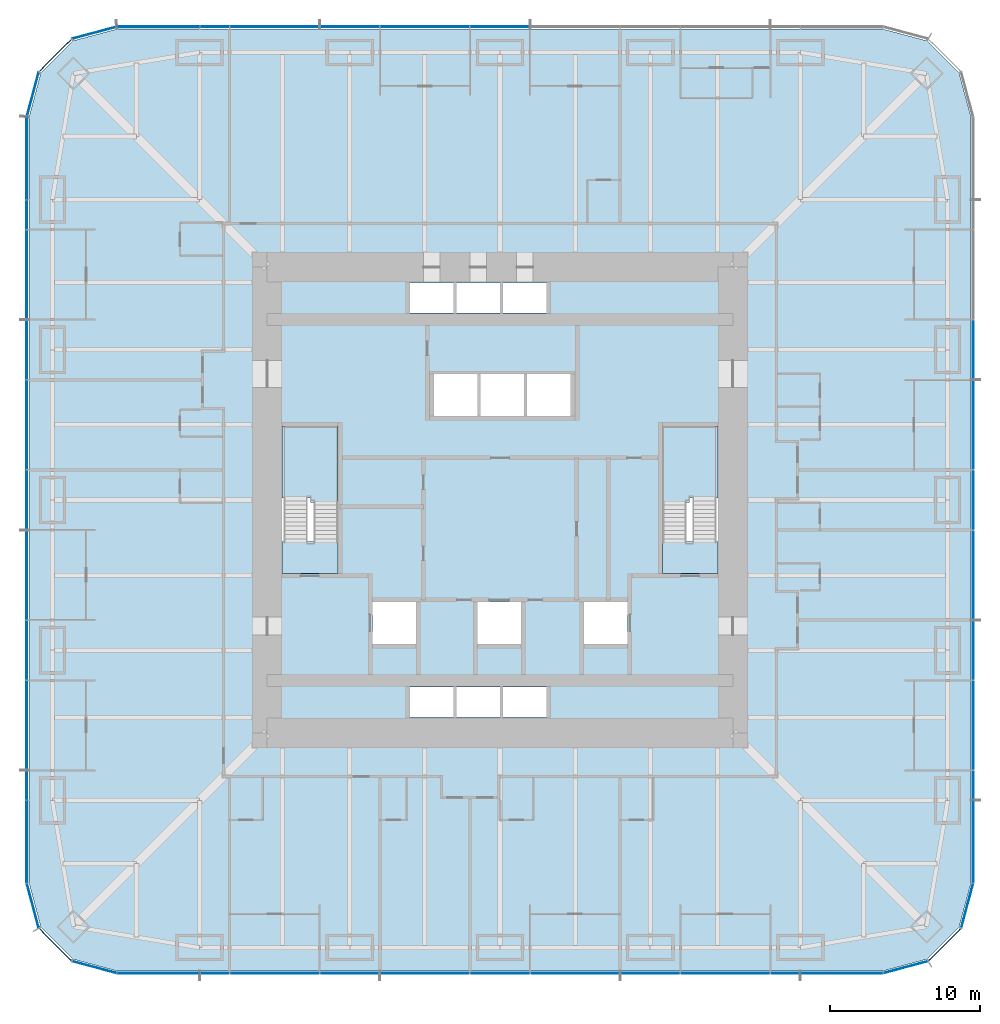
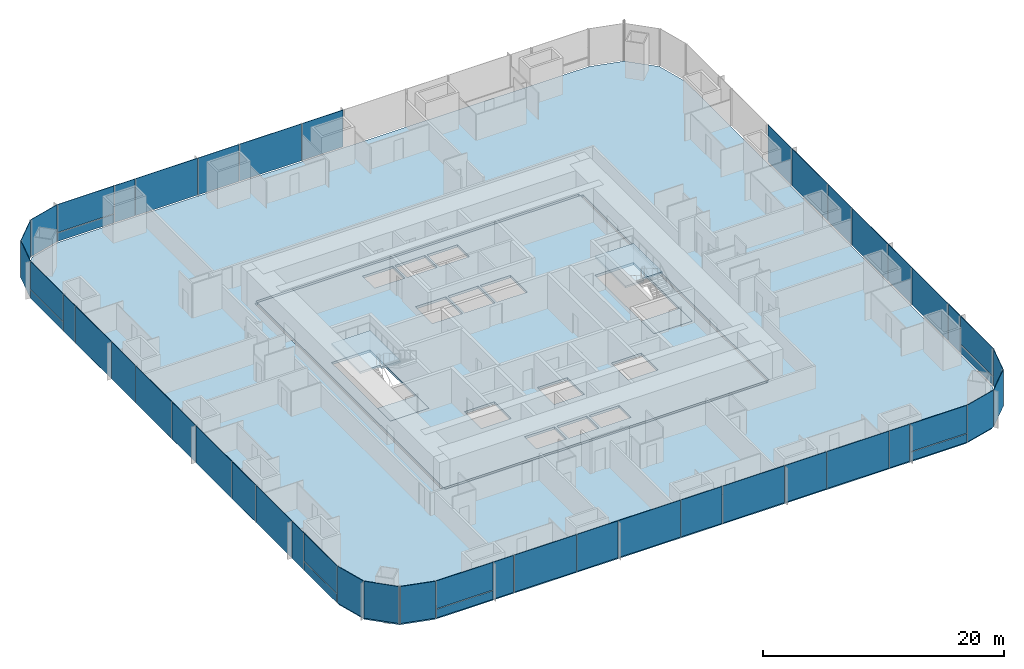
# One storey, part 10 of 17: 51 plates, 6 slabs, 9 elements without a shape of their own.
"""IFC4 building model written with IfcOpenShell, lengths in metres."""

from ifc_helpers import new_model, si_unit, direction, frame, origin, origin_2d, place, context, subcontext, project, spatial, polyline, rectangle, outline, extrude, material, layer, layer_set, type_object, element, aggregate, save


model = new_model("IFC4")

# Units and contexts
model_context = context("Model", 3, precision=1e-05, world=origin(), true_north=direction((0.0, 1.0)))
body_context = subcontext(model_context, "Body", "Model", "MODEL_VIEW")
ifc_project = project(units=[si_unit("LENGTHUNIT", "METRE"), si_unit("AREAUNIT", "SQUARE_METRE"), si_unit("VOLUMEUNIT", "CUBIC_METRE"), si_unit("PLANEANGLEUNIT", "RADIAN"), si_unit("MASSUNIT", "GRAM", prefix="KILO")], contexts=[model_context])

# Site, building, storey
site_placement = place(None, origin())
site = spatial("IfcSite", under=ifc_project, at=site_placement, CompositionType="ELEMENT")
building_placement = place(site_placement, origin())
building = spatial("IfcBuilding", under=site, at=building_placement, Name="Khuree Lantern Residences", CompositionType="ELEMENT")
storey_placement = place(building_placement, frame((0.0, 0.0, 58.5)))
storey = spatial("IfcBuildingStorey", under=building, at=storey_placement, Name="L14", CompositionType="ELEMENT", Elevation=58.5)

# Slab
ifc_material_1 = material(Name="Concrete C35/45", Category="concrete")
ifc_layer_1 = layer(ifc_material_1, 0.25)
ifc_layer_set_1 = layer_set([ifc_layer_1], Name="CFL250 CORE FLOOR SLAB 250")
slab_type_1 = type_object("IfcSlabType", Name="CFL250 CORE FLOOR SLAB 250", PredefinedType="FLOOR", material=ifc_layer_set_1)
slab_1_placement = place(storey_placement, frame((0.0, 0.0, -0.25)))
element("IfcSlab", 1, at=slab_1_placement, inside=storey, type_object=slab_type_1, Name="Core floor L14", PredefinedType="FLOOR", context=body_context, shape_type="SweptSolid", body=[
    extrude(outline(polyline([(-15.5, -15.5), (-15.5, 15.5), (15.5, 15.5), (15.5, -15.5), (-15.5, -15.5)]), holes=[polyline([(14.5, 4.89990234375), (10.800048828125, 4.89990234375), (10.800048828125, -4.89990234375), (14.5, -4.89990234375), (14.5, 4.89990234375)]), polyline([(8.5, -6.800048828125), (5.60009765625, -6.800048828125), (5.60009765625, -9.60009765625), (8.5, -9.60009765625), (8.5, -6.800048828125)]), polyline([(4.699951171875, 8.39990234375), (1.800048828125, 8.39990234375), (1.800048828125, 5.60009765625), (4.699951171875, 5.60009765625), (4.699951171875, 8.39990234375)]), polyline([(0.199951171875, -12.449951171875), (0.199951171875, -14.449951171875), (3.10009765625, -14.449951171875), (3.10009765625, -12.449951171875), (0.199951171875, -12.449951171875)]), polyline([(3.10009765625, 14.449951171875), (0.199951171875, 14.449951171875), (0.199951171875, 12.449951171875), (3.10009765625, 12.449951171875), (3.10009765625, 14.449951171875)]), polyline([(1.60009765625, 8.39990234375), (-1.300048828125, 8.39990234375), (-1.300048828125, 5.60009765625), (1.60009765625, 5.60009765625), (1.60009765625, 8.39990234375)]), polyline([(1.39990234375, -6.800048828125), (-1.5, -6.800048828125), (-1.5, -9.60009765625), (1.39990234375, -9.60009765625), (1.39990234375, -6.800048828125)]), polyline([(0.0, -12.449951171875), (-2.89990234375, -12.449951171875), (-2.89990234375, -14.449951171875), (0.0, -14.449951171875), (0.0, -12.449951171875)]), polyline([(0.0, 14.449951171875), (-2.89990234375, 14.449951171875), (-2.89990234375, 12.449951171875), (0.0, 12.449951171875), (0.0, 14.449951171875)]), polyline([(-1.5, 8.39990234375), (-4.39990234375, 8.39990234375), (-4.39990234375, 5.60009765625), (-1.5, 5.60009765625), (-1.5, 8.39990234375)]), polyline([(-6.0, -12.449951171875), (-6.0, -14.449951171875), (-3.10009765625, -14.449951171875), (-3.10009765625, -12.449951171875), (-6.0, -12.449951171875)]), polyline([(-3.10009765625, 14.449951171875), (-6.0, 14.449951171875), (-6.0, 12.449951171875), (-3.10009765625, 12.449951171875), (-3.10009765625, 14.449951171875)]), polyline([(-5.60009765625, -6.800048828125), (-8.5, -6.800048828125), (-8.5, -9.60009765625), (-5.60009765625, -9.60009765625), (-5.60009765625, -6.800048828125)]), polyline([(-10.800048828125, 4.89990234375), (-14.5, 4.89990234375), (-14.5, -4.89990234375), (-10.800048828125, -4.89990234375), (-10.800048828125, 4.89990234375)])]), origin(), (0.0, 0.0, 1.0), 0.25),
])

# Curtain wall, plates
ifc_material_2 = material(Name="Bronze anodised aluminium", Category="aluminium")
curtain_wall_type_1 = type_object("IfcCurtainWallType", Name="CW-T2 TOWER CORNER CURTAIN WALL", PredefinedType="USERDEFINED", material=ifc_material_2)
curtain_wall_1_placement = place(storey_placement, origin())
curtain_wall_1 = element("IfcCurtainWall", 2, at=curtain_wall_1_placement, inside=storey, type_object=curtain_wall_type_1, Name="L14 SOUTH-EAST CORNER CURTAIN WALL", ObjectType="Faceted corner curtain wall", PredefinedType="USERDEFINED")
ifc_material_3 = material(Name="Bronze tinted triple glazing", Category="glass")
ifc_layer_2 = layer(ifc_material_3, 0.048095703125)
ifc_layer_set_2 = layer_set([ifc_layer_2], Name="FACET PANEL P4")
plate_type_1 = type_object("IfcPlateType", Name="FACET PANEL P4", PredefinedType="CURTAIN_PANEL", material=ifc_layer_set_2)
plate_1_placement = place(storey_placement, frame((26.998046875, -31.0986328125, 0.0), z_axis=(0.0, 0.0, 1.0), x_axis=(0.965925792265, 0.258819172081, 0.0)))
plate_1 = element("IfcPlate", 3, at=plate_1_placement, type_object=plate_type_1, Name="L14 SOUTH-EAST CORNER PANEL 1.1", PredefinedType="CURTAIN_PANEL", context=body_context, shape_type="SweptSolid", body=[
    extrude(rectangle(XDim=3.02978515625, YDim=0.048095703125, at=origin_2d()), origin(), (0.0, 0.0, 1.0), 3.75),
])
plate_2_placement = place(storey_placement, frame((29.59814453125, -29.59814453125, 0.0), z_axis=(0.0, 0.0, 1.0), x_axis=(0.707106781187, 0.707106781187, 0.0)))
plate_2 = element("IfcPlate", 4, at=plate_2_placement, type_object=plate_type_1, Name="L14 SOUTH-EAST CORNER PANEL 2.1", PredefinedType="CURTAIN_PANEL", context=body_context, shape_type="SweptSolid", body=[
    extrude(rectangle(XDim=3.025634765625, YDim=0.048095703125, at=origin_2d()), origin(), (0.0, 0.0, 1.0), 3.75),
])
plate_3_placement = place(storey_placement, frame((31.0986328125, -26.998046875, 0.0), z_axis=(0.0, 0.0, 1.0), x_axis=(0.258819172081, 0.965925792265, 0.0)))
plate_3 = element("IfcPlate", 5, at=plate_3_placement, type_object=plate_type_1, Name="L14 SOUTH-EAST CORNER PANEL 3.1", PredefinedType="CURTAIN_PANEL", context=body_context, shape_type="SweptSolid", body=[
    extrude(rectangle(XDim=3.02978515625, YDim=0.048095703125, at=origin_2d()), origin(), (0.0, 0.0, 1.0), 3.75),
])
aggregate(curtain_wall_1, [plate_1, plate_2, plate_3])

curtain_wall_2_placement = place(storey_placement, origin())
curtain_wall_2 = element("IfcCurtainWall", 6, at=curtain_wall_2_placement, inside=storey, type_object=curtain_wall_type_1, Name="L14 NORTH-WEST CORNER CURTAIN WALL", ObjectType="Faceted corner curtain wall", PredefinedType="USERDEFINED")
plate_4_placement = place(storey_placement, frame((-26.998046875, 31.0986328125, 0.0), z_axis=(0.0, 0.0, 1.0), x_axis=(-0.965925792265, -0.258819172081, 0.0)))
plate_4 = element("IfcPlate", 7, at=plate_4_placement, type_object=plate_type_1, Name="L14 NORTH-WEST CORNER PANEL 29.1", PredefinedType="CURTAIN_PANEL", context=body_context, shape_type="SweptSolid", body=[
    extrude(rectangle(XDim=3.02978515625, YDim=0.048095703125, at=origin_2d()), origin(), (0.0, 0.0, 1.0), 3.75),
])
plate_5_placement = place(storey_placement, frame((-29.59814453125, 29.59814453125, 0.0), z_axis=(0.0, 0.0, 1.0), x_axis=(-0.707106781187, -0.707106781187, 0.0)))
plate_5 = element("IfcPlate", 8, at=plate_5_placement, type_object=plate_type_1, Name="L14 NORTH-WEST CORNER PANEL 30.1", PredefinedType="CURTAIN_PANEL", context=body_context, shape_type="SweptSolid", body=[
    extrude(rectangle(XDim=3.025634765625, YDim=0.048095703125, at=origin_2d()), origin(), (0.0, 0.0, 1.0), 3.75),
])
plate_6_placement = place(storey_placement, frame((-31.0986328125, 26.998046875, 0.0), z_axis=(0.0, 0.0, 1.0), x_axis=(-0.258819172081, -0.965925792265, 0.0)))
plate_6 = element("IfcPlate", 9, at=plate_6_placement, type_object=plate_type_1, Name="L14 NORTH-WEST CORNER PANEL 31.1", PredefinedType="CURTAIN_PANEL", context=body_context, shape_type="SweptSolid", body=[
    extrude(rectangle(XDim=3.02978515625, YDim=0.048095703125, at=origin_2d()), origin(), (0.0, 0.0, 1.0), 3.75),
])
aggregate(curtain_wall_2, [plate_4, plate_5, plate_6])

curtain_wall_3_placement = place(storey_placement, origin())
curtain_wall_3 = element("IfcCurtainWall", 10, at=curtain_wall_3_placement, inside=storey, type_object=curtain_wall_type_1, Name="L14 SOUTH-WEST CORNER CURTAIN WALL", ObjectType="Faceted corner curtain wall", PredefinedType="USERDEFINED")
plate_7_placement = place(storey_placement, frame((-31.0986328125, -26.998046875, 0.0), z_axis=(0.0, 0.0, 1.0), x_axis=(0.258819172081, -0.965925792265, 0.0)))
plate_7 = element("IfcPlate", 11, at=plate_7_placement, type_object=plate_type_1, Name="L14 SOUTH-WEST CORNER PANEL 43.1", PredefinedType="CURTAIN_PANEL", context=body_context, shape_type="SweptSolid", body=[
    extrude(rectangle(XDim=3.02978515625, YDim=0.048095703125, at=origin_2d()), origin(), (0.0, 0.0, 1.0), 3.75),
])
plate_8_placement = place(storey_placement, frame((-29.59814453125, -29.59814453125, 0.0), z_axis=(0.0, 0.0, 1.0), x_axis=(0.707106781187, -0.707106781187, 0.0)))
plate_8 = element("IfcPlate", 12, at=plate_8_placement, type_object=plate_type_1, Name="L14 SOUTH-WEST CORNER PANEL 44.1", PredefinedType="CURTAIN_PANEL", context=body_context, shape_type="SweptSolid", body=[
    extrude(rectangle(XDim=3.025634765625, YDim=0.048095703125, at=origin_2d()), origin(), (0.0, 0.0, 1.0), 3.75),
])
plate_9_placement = place(storey_placement, frame((-26.998046875, -31.0986328125, 0.0), z_axis=(0.0, 0.0, 1.0), x_axis=(0.965925792265, -0.258819172081, 0.0)))
plate_9 = element("IfcPlate", 13, at=plate_9_placement, type_object=plate_type_1, Name="L14 SOUTH-WEST CORNER PANEL 45.1", PredefinedType="CURTAIN_PANEL", context=body_context, shape_type="SweptSolid", body=[
    extrude(rectangle(XDim=3.02978515625, YDim=0.048095703125, at=origin_2d()), origin(), (0.0, 0.0, 1.0), 3.75),
])
aggregate(curtain_wall_3, [plate_7, plate_8, plate_9])

curtain_wall_type_2 = type_object("IfcCurtainWallType", Name="CW-T1 TOWER FACE CURTAIN WALL", PredefinedType="USERDEFINED", material=ifc_material_2)
curtain_wall_4_placement = place(storey_placement, origin())
curtain_wall_4 = element("IfcCurtainWall", 14, at=curtain_wall_4_placement, inside=storey, type_object=curtain_wall_type_2, Name="L14 EAST FACE CURTAIN WALL", ObjectType="Stick-built curtain wall", PredefinedType="USERDEFINED")
ifc_material_4 = material(Name="Bronze tinted triple glazing with a ceramic-fritted spandrel band", Category="glass")
ifc_layer_3 = layer(ifc_material_4, 0.048095703125)
ifc_layer_set_3 = layer_set([ifc_layer_3], Name="FIXED LIGHT PANEL P11")
plate_type_2 = type_object("IfcPlateType", Name="FIXED LIGHT PANEL P11", PredefinedType="CURTAIN_PANEL", material=ifc_layer_set_3)
plate_10_placement = place(storey_placement, frame((31.5, -15.0, 0.0), z_axis=(0.0, 0.0, 1.0), x_axis=(0.0, 1.0, 0.0)))
plate_10 = element("IfcPlate", 15, at=plate_10_placement, type_object=plate_type_2, Name="L14 EAST FACE PANEL 6.1", PredefinedType="CURTAIN_PANEL", context=body_context, shape_type="SweptSolid", body=[
    extrude(rectangle(XDim=5.93505859375, YDim=0.048095703125, at=origin_2d()), origin(), (0.0, 0.0, 1.0), 3.75),
])
plate_11_placement = place(storey_placement, frame((31.5, -5.0, 0.0), z_axis=(0.0, 0.0, 1.0), x_axis=(0.0, 1.0, 0.0)))
plate_11 = element("IfcPlate", 16, at=plate_11_placement, type_object=plate_type_2, Name="L14 EAST FACE PANEL 8.1", PredefinedType="CURTAIN_PANEL", context=body_context, shape_type="SweptSolid", body=[
    extrude(rectangle(XDim=5.93505859375, YDim=0.048095703125, at=origin_2d()), origin(), (0.0, 0.0, 1.0), 3.75),
])
plate_12_placement = place(storey_placement, frame((31.5, 5.0, 0.0), z_axis=(0.0, 0.0, 1.0), x_axis=(0.0, 1.0, 0.0)))
plate_12 = element("IfcPlate", 17, at=plate_12_placement, type_object=plate_type_2, Name="L14 EAST FACE PANEL 10.1", PredefinedType="CURTAIN_PANEL", context=body_context, shape_type="SweptSolid", body=[
    extrude(rectangle(XDim=5.93505859375, YDim=0.048095703125, at=origin_2d()), origin(), (0.0, 0.0, 1.0), 3.75),
])

curtain_wall_5_placement = place(storey_placement, origin())
curtain_wall_5 = element("IfcCurtainWall", 18, at=curtain_wall_5_placement, inside=storey, type_object=curtain_wall_type_2, Name="L14 NORTH FACE CURTAIN WALL", ObjectType="Stick-built curtain wall", PredefinedType="USERDEFINED")
plate_13_placement = place(storey_placement, frame((-5.0, 31.5, 0.0), z_axis=(0.0, 0.0, 1.0), x_axis=(-1.0, 0.0, 0.0)))
plate_13 = element("IfcPlate", 19, at=plate_13_placement, type_object=plate_type_2, Name="L14 NORTH FACE PANEL 24.1", PredefinedType="CURTAIN_PANEL", context=body_context, shape_type="SweptSolid", body=[
    extrude(rectangle(XDim=5.93505859375, YDim=0.048095703125, at=origin_2d()), origin(), (0.0, 0.0, 1.0), 3.75),
])
plate_14_placement = place(storey_placement, frame((-15.0, 31.5, 0.0), z_axis=(0.0, 0.0, 1.0), x_axis=(-1.0, 0.0, 0.0)))
plate_14 = element("IfcPlate", 20, at=plate_14_placement, type_object=plate_type_2, Name="L14 NORTH FACE PANEL 26.1", PredefinedType="CURTAIN_PANEL", context=body_context, shape_type="SweptSolid", body=[
    extrude(rectangle(XDim=5.93505859375, YDim=0.048095703125, at=origin_2d()), origin(), (0.0, 0.0, 1.0), 3.75),
])

curtain_wall_6_placement = place(storey_placement, origin())
curtain_wall_6 = element("IfcCurtainWall", 21, at=curtain_wall_6_placement, inside=storey, type_object=curtain_wall_type_2, Name="L14 WEST FACE CURTAIN WALL", ObjectType="Stick-built curtain wall", PredefinedType="USERDEFINED")
plate_15_placement = place(storey_placement, frame((-31.5, 15.0, 0.0), z_axis=(0.0, 0.0, 1.0), x_axis=(0.0, -1.0, 0.0)))
plate_15 = element("IfcPlate", 22, at=plate_15_placement, type_object=plate_type_2, Name="L14 WEST FACE PANEL 34.1", PredefinedType="CURTAIN_PANEL", context=body_context, shape_type="SweptSolid", body=[
    extrude(rectangle(XDim=5.93505859375, YDim=0.048095703125, at=origin_2d()), origin(), (0.0, 0.0, 1.0), 3.75),
])
plate_16_placement = place(storey_placement, frame((-31.5, 5.0, 0.0), z_axis=(0.0, 0.0, 1.0), x_axis=(0.0, -1.0, 0.0)))
plate_16 = element("IfcPlate", 23, at=plate_16_placement, type_object=plate_type_2, Name="L14 WEST FACE PANEL 36.1", PredefinedType="CURTAIN_PANEL", context=body_context, shape_type="SweptSolid", body=[
    extrude(rectangle(XDim=5.93505859375, YDim=0.048095703125, at=origin_2d()), origin(), (0.0, 0.0, 1.0), 3.75),
])
plate_17_placement = place(storey_placement, frame((-31.5, -5.0, 0.0), z_axis=(0.0, 0.0, 1.0), x_axis=(0.0, -1.0, 0.0)))
plate_17 = element("IfcPlate", 24, at=plate_17_placement, type_object=plate_type_2, Name="L14 WEST FACE PANEL 38.1", PredefinedType="CURTAIN_PANEL", context=body_context, shape_type="SweptSolid", body=[
    extrude(rectangle(XDim=5.93505859375, YDim=0.048095703125, at=origin_2d()), origin(), (0.0, 0.0, 1.0), 3.75),
])
plate_18_placement = place(storey_placement, frame((-31.5, -15.0, 0.0), z_axis=(0.0, 0.0, 1.0), x_axis=(0.0, -1.0, 0.0)))
plate_18 = element("IfcPlate", 25, at=plate_18_placement, type_object=plate_type_2, Name="L14 WEST FACE PANEL 40.1", PredefinedType="CURTAIN_PANEL", context=body_context, shape_type="SweptSolid", body=[
    extrude(rectangle(XDim=5.93505859375, YDim=0.048095703125, at=origin_2d()), origin(), (0.0, 0.0, 1.0), 3.75),
])

curtain_wall_7_placement = place(storey_placement, origin())
curtain_wall_7 = element("IfcCurtainWall", 26, at=curtain_wall_7_placement, inside=storey, type_object=curtain_wall_type_2, Name="L14 SOUTH FACE CURTAIN WALL", ObjectType="Stick-built curtain wall", PredefinedType="USERDEFINED")
plate_19_placement = place(storey_placement, frame((-15.0, -31.5, 0.0), z_axis=(0.0, 0.0, 1.0), x_axis=(1.0, 0.0, 0.0)))
plate_19 = element("IfcPlate", 27, at=plate_19_placement, type_object=plate_type_2, Name="L14 SOUTH FACE PANEL 48.1", PredefinedType="CURTAIN_PANEL", context=body_context, shape_type="SweptSolid", body=[
    extrude(rectangle(XDim=5.93505859375, YDim=0.048095703125, at=origin_2d()), origin(), (0.0, 0.0, 1.0), 3.75),
])
plate_20_placement = place(storey_placement, frame((-5.0, -31.5, 0.0), z_axis=(0.0, 0.0, 1.0), x_axis=(1.0, 0.0, 0.0)))
plate_20 = element("IfcPlate", 28, at=plate_20_placement, type_object=plate_type_2, Name="L14 SOUTH FACE PANEL 50.1", PredefinedType="CURTAIN_PANEL", context=body_context, shape_type="SweptSolid", body=[
    extrude(rectangle(XDim=5.93505859375, YDim=0.048095703125, at=origin_2d()), origin(), (0.0, 0.0, 1.0), 3.75),
])
plate_21_placement = place(storey_placement, frame((5.0, -31.5, 0.0), z_axis=(0.0, 0.0, 1.0), x_axis=(1.0, 0.0, 0.0)))
plate_21 = element("IfcPlate", 29, at=plate_21_placement, type_object=plate_type_2, Name="L14 SOUTH FACE PANEL 52.1", PredefinedType="CURTAIN_PANEL", context=body_context, shape_type="SweptSolid", body=[
    extrude(rectangle(XDim=5.93505859375, YDim=0.048095703125, at=origin_2d()), origin(), (0.0, 0.0, 1.0), 3.75),
])
plate_22_placement = place(storey_placement, frame((15.0, -31.5, 0.0), z_axis=(0.0, 0.0, 1.0), x_axis=(1.0, 0.0, 0.0)))
plate_22 = element("IfcPlate", 30, at=plate_22_placement, type_object=plate_type_2, Name="L14 SOUTH FACE PANEL 54.1", PredefinedType="CURTAIN_PANEL", context=body_context, shape_type="SweptSolid", body=[
    extrude(rectangle(XDim=5.93505859375, YDim=0.048095703125, at=origin_2d()), origin(), (0.0, 0.0, 1.0), 3.75),
])

# Slab
ifc_layer_4 = layer(ifc_material_1, 0.25)
ifc_layer_set_4 = layer_set([ifc_layer_4], Name="FS250 FLOOR SLAB 250")
slab_type_2 = type_object("IfcSlabType", Name="FS250 FLOOR SLAB 250", PredefinedType="FLOOR", material=ifc_layer_set_4)
slab_2_placement = place(storey_placement, frame((0.0, 0.0, -0.25)))
element("IfcSlab", 31, at=slab_2_placement, inside=storey, type_object=slab_type_2, Name="Floor slab L14", PredefinedType="FLOOR", context=body_context, shape_type="SweptSolid", body=[
    extrude(outline(polyline([(-28.425048828125, -30.566162109375), (-30.566162109375, -28.425048828125), (-31.35009765625, -25.5), (-31.35009765625, 25.5), (-30.566162109375, 28.425048828125), (-28.425048828125, 30.566162109375), (-25.5, 31.35009765625), (25.5, 31.35009765625), (28.425048828125, 30.566162109375), (30.566162109375, 28.425048828125), (31.35009765625, 25.5), (31.35009765625, -25.5), (30.566162109375, -28.425048828125), (28.425048828125, -30.566162109375), (25.5, -31.35009765625), (-25.5, -31.35009765625), (-28.425048828125, -30.566162109375)]), holes=[polyline([(15.75, 15.5), (15.5, 15.5), (15.5, 15.75), (-15.5, 15.75), (-15.5, 15.5), (-15.75, 15.5), (-15.75, -15.5), (-15.5, -15.5), (-15.5, -15.75), (15.5, -15.75), (15.5, -15.5), (15.75, -15.5), (15.75, 15.5)])]), origin(), (0.0, 0.0, 1.0), 0.25),
])

# Plate
ifc_material_5 = material(Name="Bronze tinted triple glazing, two aluminium-framed sashes in one frame", Category="aluminium")
ifc_layer_5 = layer(ifc_material_5, 0.048095703125)
ifc_layer_set_5 = layer_set([ifc_layer_5], Name="SASH PAIR PANEL P12")
plate_type_3 = type_object("IfcPlateType", Name="SASH PAIR PANEL P12", PredefinedType="CURTAIN_PANEL", material=ifc_layer_set_5)
plate_23_placement = place(storey_placement, frame((31.5, -10.0, 0.0), z_axis=(0.0, 0.0, 1.0), x_axis=(0.0, 1.0, 0.0)))
plate_23 = element("IfcPlate", 32, at=plate_23_placement, type_object=plate_type_3, Name="L14 EAST FACE PANEL 7.1", PredefinedType="CURTAIN_PANEL", context=body_context, shape_type="SweptSolid", body=[
    extrude(rectangle(XDim=3.93505859375, YDim=0.048095703125, at=origin_2d()), origin(), (0.0, 0.0, 1.0), 3.75),
])

plate_24_placement = place(storey_placement, frame((31.5, 0.0, 0.0), z_axis=(0.0, 0.0, 1.0), x_axis=(0.0, 1.0, 0.0)))
plate_24 = element("IfcPlate", 33, at=plate_24_placement, type_object=plate_type_3, Name="L14 EAST FACE PANEL 9.1", PredefinedType="CURTAIN_PANEL", context=body_context, shape_type="SweptSolid", body=[
    extrude(rectangle(XDim=3.93505859375, YDim=0.048095703125, at=origin_2d()), origin(), (0.0, 0.0, 1.0), 3.75),
])

plate_25_placement = place(storey_placement, frame((31.5, 10.0, 0.0), z_axis=(0.0, 0.0, 1.0), x_axis=(0.0, 1.0, 0.0)))
plate_25 = element("IfcPlate", 34, at=plate_25_placement, type_object=plate_type_3, Name="L14 EAST FACE PANEL 11.1", PredefinedType="CURTAIN_PANEL", context=body_context, shape_type="SweptSolid", body=[
    extrude(rectangle(XDim=3.93505859375, YDim=0.048095703125, at=origin_2d()), origin(), (0.0, 0.0, 1.0), 3.75),
])

plate_26_placement = place(storey_placement, frame((0.0, 31.5, 0.0), z_axis=(0.0, 0.0, 1.0), x_axis=(-1.0, 0.0, 0.0)))
plate_26 = element("IfcPlate", 35, at=plate_26_placement, type_object=plate_type_3, Name="L14 NORTH FACE PANEL 23.1", PredefinedType="CURTAIN_PANEL", context=body_context, shape_type="SweptSolid", body=[
    extrude(rectangle(XDim=3.93505859375, YDim=0.048095703125, at=origin_2d()), origin(), (0.0, 0.0, 1.0), 3.75),
])

plate_27_placement = place(storey_placement, frame((-10.0, 31.5, 0.0), z_axis=(0.0, 0.0, 1.0), x_axis=(-1.0, 0.0, 0.0)))
plate_27 = element("IfcPlate", 36, at=plate_27_placement, type_object=plate_type_3, Name="L14 NORTH FACE PANEL 25.1", PredefinedType="CURTAIN_PANEL", context=body_context, shape_type="SweptSolid", body=[
    extrude(rectangle(XDim=3.93505859375, YDim=0.048095703125, at=origin_2d()), origin(), (0.0, 0.0, 1.0), 3.75),
])

plate_28_placement = place(storey_placement, frame((-31.5, 10.0, 0.0), z_axis=(0.0, 0.0, 1.0), x_axis=(0.0, -1.0, 0.0)))
plate_28 = element("IfcPlate", 37, at=plate_28_placement, type_object=plate_type_3, Name="L14 WEST FACE PANEL 35.1", PredefinedType="CURTAIN_PANEL", context=body_context, shape_type="SweptSolid", body=[
    extrude(rectangle(XDim=3.93505859375, YDim=0.048095703125, at=origin_2d()), origin(), (0.0, 0.0, 1.0), 3.75),
])

plate_29_placement = place(storey_placement, frame((-31.5, 0.0, 0.0), z_axis=(0.0, 0.0, 1.0), x_axis=(0.0, -1.0, 0.0)))
plate_29 = element("IfcPlate", 38, at=plate_29_placement, type_object=plate_type_3, Name="L14 WEST FACE PANEL 37.1", PredefinedType="CURTAIN_PANEL", context=body_context, shape_type="SweptSolid", body=[
    extrude(rectangle(XDim=3.93505859375, YDim=0.048095703125, at=origin_2d()), origin(), (0.0, 0.0, 1.0), 3.75),
])

plate_30_placement = place(storey_placement, frame((-31.5, -10.0, 0.0), z_axis=(0.0, 0.0, 1.0), x_axis=(0.0, -1.0, 0.0)))
plate_30 = element("IfcPlate", 39, at=plate_30_placement, type_object=plate_type_3, Name="L14 WEST FACE PANEL 39.1", PredefinedType="CURTAIN_PANEL", context=body_context, shape_type="SweptSolid", body=[
    extrude(rectangle(XDim=3.93505859375, YDim=0.048095703125, at=origin_2d()), origin(), (0.0, 0.0, 1.0), 3.75),
])

plate_31_placement = place(storey_placement, frame((-10.0, -31.5, 0.0), z_axis=(0.0, 0.0, 1.0), x_axis=(1.0, 0.0, 0.0)))
plate_31 = element("IfcPlate", 40, at=plate_31_placement, type_object=plate_type_3, Name="L14 SOUTH FACE PANEL 49.1", PredefinedType="CURTAIN_PANEL", context=body_context, shape_type="SweptSolid", body=[
    extrude(rectangle(XDim=3.93505859375, YDim=0.048095703125, at=origin_2d()), origin(), (0.0, 0.0, 1.0), 3.75),
])

plate_32_placement = place(storey_placement, frame((0.0, -31.5, 0.0), z_axis=(0.0, 0.0, 1.0), x_axis=(1.0, 0.0, 0.0)))
plate_32 = element("IfcPlate", 41, at=plate_32_placement, type_object=plate_type_3, Name="L14 SOUTH FACE PANEL 51.1", PredefinedType="CURTAIN_PANEL", context=body_context, shape_type="SweptSolid", body=[
    extrude(rectangle(XDim=3.93505859375, YDim=0.048095703125, at=origin_2d()), origin(), (0.0, 0.0, 1.0), 3.75),
])

plate_33_placement = place(storey_placement, frame((10.0, -31.5, 0.0), z_axis=(0.0, 0.0, 1.0), x_axis=(1.0, 0.0, 0.0)))
plate_33 = element("IfcPlate", 42, at=plate_33_placement, type_object=plate_type_3, Name="L14 SOUTH FACE PANEL 53.1", PredefinedType="CURTAIN_PANEL", context=body_context, shape_type="SweptSolid", body=[
    extrude(rectangle(XDim=3.93505859375, YDim=0.048095703125, at=origin_2d()), origin(), (0.0, 0.0, 1.0), 3.75),
])

ifc_material_6 = material(Name="Bronze tinted triple glazing, aluminium-framed sash", Category="aluminium")
ifc_layer_6 = layer(ifc_material_6, 0.048095703125)
ifc_layer_set_6 = layer_set([ifc_layer_6], Name="SASH PANEL P3")
plate_type_4 = type_object("IfcPlateType", Name="SASH PANEL P3", PredefinedType="CURTAIN_PANEL", material=ifc_layer_set_6)
plate_34_placement = place(storey_placement, frame((31.5, -19.0, 0.0), z_axis=(0.0, 0.0, 1.0), x_axis=(0.0, 1.0, 0.0)))
plate_34 = element("IfcPlate", 43, at=plate_34_placement, type_object=plate_type_4, Name="L14 EAST FACE PANEL 5.1", PredefinedType="CURTAIN_PANEL", context=body_context, shape_type="SweptSolid", body=[
    extrude(rectangle(XDim=1.93505859375, YDim=0.048095703125, at=origin_2d()), origin(), (0.0, 0.0, 1.0), 3.75),
])

plate_35_placement = place(storey_placement, frame((-19.0, 31.5, 0.0), z_axis=(0.0, 0.0, 1.0), x_axis=(-1.0, 0.0, 0.0)))
plate_35 = element("IfcPlate", 44, at=plate_35_placement, type_object=plate_type_4, Name="L14 NORTH FACE PANEL 27.1", PredefinedType="CURTAIN_PANEL", context=body_context, shape_type="SweptSolid", body=[
    extrude(rectangle(XDim=1.93505859375, YDim=0.048095703125, at=origin_2d()), origin(), (0.0, 0.0, 1.0), 3.75),
])

plate_36_placement = place(storey_placement, frame((-31.5, 19.0, 0.0), z_axis=(0.0, 0.0, 1.0), x_axis=(0.0, -1.0, 0.0)))
plate_36 = element("IfcPlate", 45, at=plate_36_placement, type_object=plate_type_4, Name="L14 WEST FACE PANEL 33.1", PredefinedType="CURTAIN_PANEL", context=body_context, shape_type="SweptSolid", body=[
    extrude(rectangle(XDim=1.93505859375, YDim=0.048095703125, at=origin_2d()), origin(), (0.0, 0.0, 1.0), 3.75),
])

plate_37_placement = place(storey_placement, frame((-31.5, -19.0, 0.0), z_axis=(0.0, 0.0, 1.0), x_axis=(0.0, -1.0, 0.0)))
plate_37 = element("IfcPlate", 46, at=plate_37_placement, type_object=plate_type_4, Name="L14 WEST FACE PANEL 41.1", PredefinedType="CURTAIN_PANEL", context=body_context, shape_type="SweptSolid", body=[
    extrude(rectangle(XDim=1.93505859375, YDim=0.048095703125, at=origin_2d()), origin(), (0.0, 0.0, 1.0), 3.75),
])

plate_38_placement = place(storey_placement, frame((-19.0, -31.5, 0.0), z_axis=(0.0, 0.0, 1.0), x_axis=(1.0, 0.0, 0.0)))
plate_38 = element("IfcPlate", 47, at=plate_38_placement, type_object=plate_type_4, Name="L14 SOUTH FACE PANEL 47.1", PredefinedType="CURTAIN_PANEL", context=body_context, shape_type="SweptSolid", body=[
    extrude(rectangle(XDim=1.93505859375, YDim=0.048095703125, at=origin_2d()), origin(), (0.0, 0.0, 1.0), 3.75),
])

plate_39_placement = place(storey_placement, frame((19.0, -31.5, 0.0), z_axis=(0.0, 0.0, 1.0), x_axis=(1.0, 0.0, 0.0)))
plate_39 = element("IfcPlate", 48, at=plate_39_placement, type_object=plate_type_4, Name="L14 SOUTH FACE PANEL 55.1", PredefinedType="CURTAIN_PANEL", context=body_context, shape_type="SweptSolid", body=[
    extrude(rectangle(XDim=1.93505859375, YDim=0.048095703125, at=origin_2d()), origin(), (0.0, 0.0, 1.0), 3.75),
])

ifc_material_7 = material(Name="Bronze anodised aluminium insulated spandrel", Category="aluminium")
ifc_layer_7 = layer(ifc_material_7, 0.06005859375)
ifc_layer_set_7 = layer_set([ifc_layer_7], Name="SPANDREL PANEL P2")
plate_type_5 = type_object("IfcPlateType", Name="SPANDREL PANEL P2", PredefinedType="CURTAIN_PANEL", material=ifc_layer_set_7)
plate_40_placement = place(storey_placement, frame((31.5, -22.747802734375, 0.0), z_axis=(0.0, 0.0, 1.0), x_axis=(0.0, 1.0, 0.0)))
plate_40 = element("IfcPlate", 49, at=plate_40_placement, type_object=plate_type_5, Name="L14 EAST FACE PANEL 4.1", PredefinedType="CURTAIN_PANEL", context=body_context, shape_type="SweptSolid", body=[
    extrude(rectangle(XDim=5.4306640625, YDim=0.06005859375, at=origin_2d()), origin(), (0.0, 0.0, 1.0), 0.867431640625),
])

plate_41_placement = place(storey_placement, frame((-22.747802734375, 31.5, 0.0), z_axis=(0.0, 0.0, 1.0), x_axis=(-1.0, 0.0, 0.0)))
plate_41 = element("IfcPlate", 50, at=plate_41_placement, type_object=plate_type_5, Name="L14 NORTH FACE PANEL 28.1", PredefinedType="CURTAIN_PANEL", context=body_context, shape_type="SweptSolid", body=[
    extrude(rectangle(XDim=5.4306640625, YDim=0.06005859375, at=origin_2d()), origin(), (0.0, 0.0, 1.0), 0.867431640625),
])

plate_42_placement = place(storey_placement, frame((-31.5, 22.747802734375, 0.0), z_axis=(0.0, 0.0, 1.0), x_axis=(0.0, -1.0, 0.0)))
plate_42 = element("IfcPlate", 51, at=plate_42_placement, type_object=plate_type_5, Name="L14 WEST FACE PANEL 32.1", PredefinedType="CURTAIN_PANEL", context=body_context, shape_type="SweptSolid", body=[
    extrude(rectangle(XDim=5.4306640625, YDim=0.06005859375, at=origin_2d()), origin(), (0.0, 0.0, 1.0), 0.867431640625),
])

plate_43_placement = place(storey_placement, frame((-31.5, -22.747802734375, 0.0), z_axis=(0.0, 0.0, 1.0), x_axis=(0.0, -1.0, 0.0)))
plate_43 = element("IfcPlate", 52, at=plate_43_placement, type_object=plate_type_5, Name="L14 WEST FACE PANEL 42.1", PredefinedType="CURTAIN_PANEL", context=body_context, shape_type="SweptSolid", body=[
    extrude(rectangle(XDim=5.4306640625, YDim=0.06005859375, at=origin_2d()), origin(), (0.0, 0.0, 1.0), 0.867431640625),
])

plate_44_placement = place(storey_placement, frame((-22.747802734375, -31.5, 0.0), z_axis=(0.0, 0.0, 1.0), x_axis=(1.0, 0.0, 0.0)))
plate_44 = element("IfcPlate", 53, at=plate_44_placement, type_object=plate_type_5, Name="L14 SOUTH FACE PANEL 46.1", PredefinedType="CURTAIN_PANEL", context=body_context, shape_type="SweptSolid", body=[
    extrude(rectangle(XDim=5.4306640625, YDim=0.06005859375, at=origin_2d()), origin(), (0.0, 0.0, 1.0), 0.867431640625),
])

plate_45_placement = place(storey_placement, frame((22.747802734375, -31.5, 0.0), z_axis=(0.0, 0.0, 1.0), x_axis=(1.0, 0.0, 0.0)))
plate_45 = element("IfcPlate", 54, at=plate_45_placement, type_object=plate_type_5, Name="L14 SOUTH FACE PANEL 56.1", PredefinedType="CURTAIN_PANEL", context=body_context, shape_type="SweptSolid", body=[
    extrude(rectangle(XDim=5.4306640625, YDim=0.06005859375, at=origin_2d()), origin(), (0.0, 0.0, 1.0), 0.867431640625),
])

# Stair, slabs
ifc_material_8 = material(Name="Concrete C40/50", Category="concrete")
stair_type = type_object("IfcStairType", Name="STAIR ST1 HALF TURN 3600", PredefinedType="HALF_TURN_STAIR", material=ifc_material_8)
stair_1_placement = place(storey_placement, origin())
stair_1 = element("IfcStair", 55, at=stair_1_placement, inside=storey, type_object=stair_type, Name="Stair ST1", PredefinedType="HALF_TURN_STAIR")
ifc_layer_8 = layer(ifc_material_8, 0.199951171875)
ifc_layer_set_8 = layer_set([ifc_layer_8], Name="STAIR LANDING SL1 200")
slab_type_3 = type_object("IfcSlabType", Name="STAIR LANDING SL1 200", PredefinedType="LANDING", material=ifc_layer_set_8)
slab_3_placement = place(storey_placement, frame((0.0, 0.0, -0.199951171875)))
slab_3 = element("IfcSlab", 56, at=slab_3_placement, type_object=slab_type_3, Name="ST1 landing 1", PredefinedType="LANDING", context=body_context, shape_type="SweptSolid", body=[
    extrude(outline(polyline([(-14.5, -4.89990234375), (-10.800048828125, -4.89990234375), (-10.800048828125, -2.760009765625), (-14.5, -2.760009765625), (-14.5, -4.89990234375)])), origin(), (0.0, 0.0, 1.0), 0.199951171875),
])
slab_4_placement = place(storey_placement, frame((0.0, 0.0, 1.756591796875)))
slab_4 = element("IfcSlab", 57, at=slab_4_placement, type_object=slab_type_3, Name="ST1 landing 2", PredefinedType="LANDING", context=body_context, shape_type="SweptSolid", body=[
    extrude(outline(polyline([(-14.5, 0.1201171875), (-14.5, 4.89990234375), (-10.800048828125, 4.89990234375), (-10.800048828125, -0.159912109375), (-12.60009765625, -0.159912109375), (-12.60009765625, 0.1201171875), (-14.5, 0.1201171875)])), origin(), (0.0, 0.0, 1.0), 0.199951171875),
])
aggregate(stair_1, [slab_3, slab_4])

stair_2_placement = place(storey_placement, origin())
stair_2 = element("IfcStair", 58, at=stair_2_placement, inside=storey, type_object=stair_type, Name="Stair ST2", PredefinedType="HALF_TURN_STAIR")
slab_5_placement = place(storey_placement, frame((0.0, 0.0, -0.199951171875)))
slab_5 = element("IfcSlab", 59, at=slab_5_placement, type_object=slab_type_3, Name="ST2 landing 1", PredefinedType="LANDING", context=body_context, shape_type="SweptSolid", body=[
    extrude(outline(polyline([(10.800048828125, -4.89990234375), (14.5, -4.89990234375), (14.5, -2.760009765625), (10.800048828125, -2.760009765625), (10.800048828125, -4.89990234375)])), origin(), (0.0, 0.0, 1.0), 0.199951171875),
])
slab_6_placement = place(storey_placement, frame((0.0, 0.0, 1.756591796875)))
slab_6 = element("IfcSlab", 60, at=slab_6_placement, type_object=slab_type_3, Name="ST2 landing 2", PredefinedType="LANDING", context=body_context, shape_type="SweptSolid", body=[
    extrude(outline(polyline([(14.5, 4.89990234375), (14.5, 0.1201171875), (12.60009765625, 0.1201171875), (12.60009765625, -0.159912109375), (10.800048828125, -0.159912109375), (10.800048828125, 4.89990234375), (14.5, 4.89990234375)])), origin(), (0.0, 0.0, 1.0), 0.199951171875),
])
aggregate(stair_2, [slab_5, slab_6])

# Plate
ifc_layer_9 = layer(ifc_material_3, 0.048095703125)
ifc_layer_set_9 = layer_set([ifc_layer_9], Name="VISION PANEL P1")
plate_type_6 = type_object("IfcPlateType", Name="VISION PANEL P1", PredefinedType="CURTAIN_PANEL", material=ifc_layer_set_9)
plate_46_placement = place(storey_placement, frame((31.5, -22.748291015625, 0.9326171875), z_axis=(0.0, 0.0, 1.0), x_axis=(0.0, 1.0, 0.0)))
plate_46 = element("IfcPlate", 61, at=plate_46_placement, type_object=plate_type_6, Name="L14 EAST FACE PANEL 4.2", PredefinedType="CURTAIN_PANEL", context=body_context, shape_type="SweptSolid", body=[
    extrude(rectangle(XDim=5.431640625, YDim=0.048095703125, at=origin_2d()), origin(), (0.0, 0.0, 1.0), 2.8173828125),
])

aggregate(curtain_wall_4, [plate_40, plate_46, plate_34, plate_10, plate_23, plate_11, plate_24, plate_12, plate_25])

plate_47_placement = place(storey_placement, frame((-22.748291015625, 31.5, 0.9326171875), z_axis=(0.0, 0.0, 1.0), x_axis=(-1.0, 0.0, 0.0)))
plate_47 = element("IfcPlate", 62, at=plate_47_placement, type_object=plate_type_6, Name="L14 NORTH FACE PANEL 28.2", PredefinedType="CURTAIN_PANEL", context=body_context, shape_type="SweptSolid", body=[
    extrude(rectangle(XDim=5.431640625, YDim=0.048095703125, at=origin_2d()), origin(), (0.0, 0.0, 1.0), 2.8173828125),
])

aggregate(curtain_wall_5, [plate_26, plate_13, plate_27, plate_14, plate_35, plate_41, plate_47])

plate_48_placement = place(storey_placement, frame((-31.5, 22.748291015625, 0.9326171875), z_axis=(0.0, 0.0, 1.0), x_axis=(0.0, -1.0, 0.0)))
plate_48 = element("IfcPlate", 63, at=plate_48_placement, type_object=plate_type_6, Name="L14 WEST FACE PANEL 32.2", PredefinedType="CURTAIN_PANEL", context=body_context, shape_type="SweptSolid", body=[
    extrude(rectangle(XDim=5.431640625, YDim=0.048095703125, at=origin_2d()), origin(), (0.0, 0.0, 1.0), 2.8173828125),
])

plate_49_placement = place(storey_placement, frame((-31.5, -22.748291015625, 0.9326171875), z_axis=(0.0, 0.0, 1.0), x_axis=(0.0, -1.0, 0.0)))
plate_49 = element("IfcPlate", 64, at=plate_49_placement, type_object=plate_type_6, Name="L14 WEST FACE PANEL 42.2", PredefinedType="CURTAIN_PANEL", context=body_context, shape_type="SweptSolid", body=[
    extrude(rectangle(XDim=5.431640625, YDim=0.048095703125, at=origin_2d()), origin(), (0.0, 0.0, 1.0), 2.8173828125),
])

aggregate(curtain_wall_6, [plate_42, plate_48, plate_36, plate_15, plate_28, plate_16, plate_29, plate_17, plate_30, plate_18, plate_37, plate_43, plate_49])

plate_50_placement = place(storey_placement, frame((-22.748291015625, -31.5, 0.9326171875), z_axis=(0.0, 0.0, 1.0), x_axis=(1.0, 0.0, 0.0)))
plate_50 = element("IfcPlate", 65, at=plate_50_placement, type_object=plate_type_6, Name="L14 SOUTH FACE PANEL 46.2", PredefinedType="CURTAIN_PANEL", context=body_context, shape_type="SweptSolid", body=[
    extrude(rectangle(XDim=5.431640625, YDim=0.048095703125, at=origin_2d()), origin(), (0.0, 0.0, 1.0), 2.8173828125),
])

plate_51_placement = place(storey_placement, frame((22.748291015625, -31.5, 0.9326171875), z_axis=(0.0, 0.0, 1.0), x_axis=(1.0, 0.0, 0.0)))
plate_51 = element("IfcPlate", 66, at=plate_51_placement, type_object=plate_type_6, Name="L14 SOUTH FACE PANEL 56.2", PredefinedType="CURTAIN_PANEL", context=body_context, shape_type="SweptSolid", body=[
    extrude(rectangle(XDim=5.431640625, YDim=0.048095703125, at=origin_2d()), origin(), (0.0, 0.0, 1.0), 2.8173828125),
])

aggregate(curtain_wall_7, [plate_44, plate_50, plate_38, plate_19, plate_31, plate_20, plate_32, plate_21, plate_33, plate_22, plate_39, plate_45, plate_51])

save(model, "model.ifc")
